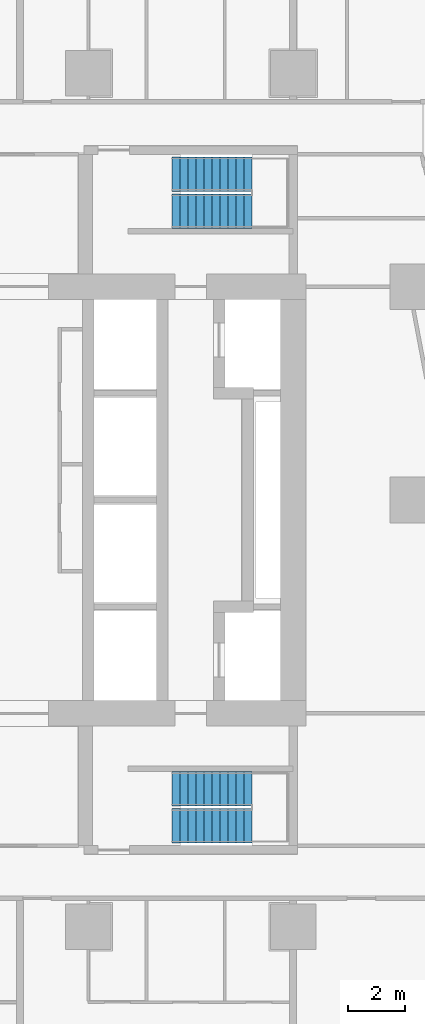
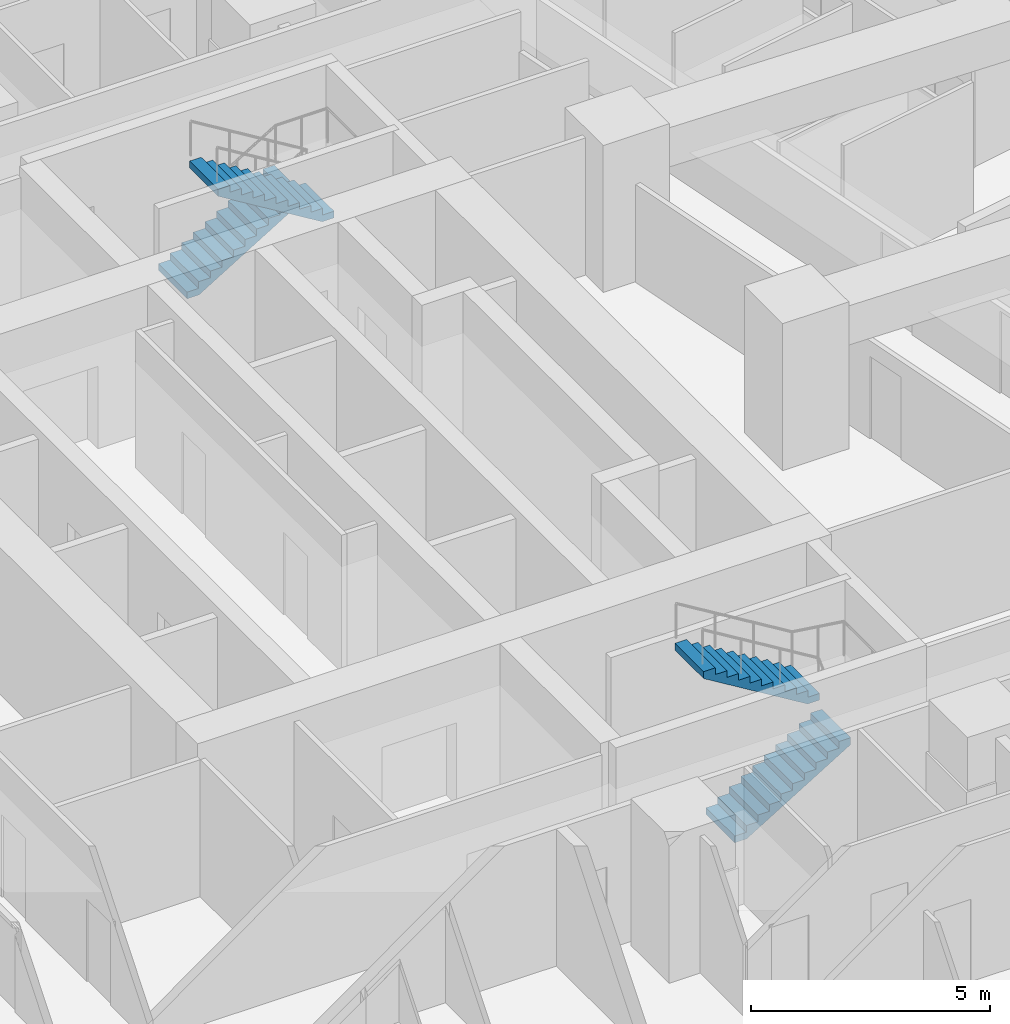
# One storey, part 14 of 17: 4 stair flights, 2 elements without a shape of their own.
"""IFC4 building model written with IfcOpenShell, lengths in metres."""

from ifc_helpers import new_model, si_unit, direction, frame, origin, place, context, subcontext, project, spatial, triangles, material, type_object, element, aggregate, save


model = new_model("IFC4")

# Units and contexts
model_context = context("Model", 3, precision=1e-05, world=origin(), true_north=direction((0.0, 1.0)))
body_context = subcontext(model_context, "Body", "Model", "MODEL_VIEW")
ifc_project = project(units=[si_unit("LENGTHUNIT", "METRE"), si_unit("AREAUNIT", "SQUARE_METRE"), si_unit("VOLUMEUNIT", "CUBIC_METRE"), si_unit("PLANEANGLEUNIT", "RADIAN"), si_unit("MASSUNIT", "GRAM", prefix="KILO")], contexts=[model_context])

# Site, building, storey
site_placement = place(None, origin())
site = spatial("IfcSite", under=ifc_project, at=site_placement, CompositionType="ELEMENT")
building_placement = place(site_placement, origin())
building = spatial("IfcBuilding", under=site, at=building_placement, Name="Sheger Commons Tower", CompositionType="ELEMENT")
storey_placement = place(building_placement, frame((0.0, 0.0, 115.39990234375)))
storey = spatial("IfcBuildingStorey", under=building, at=storey_placement, Name="L29", CompositionType="ELEMENT", Elevation=115.39990234375)

# Stair, stair flights
ifc_material_1 = material(Name="Concrete C35/45", Category="concrete")
stair_type = type_object("IfcStairType", Name="HALF-TURN STAIR 1200 RISE 3750", PredefinedType="HALF_TURN_STAIR", material=ifc_material_1)
stair_1_placement = place(storey_placement, origin())
stair_1 = element("IfcStair", 1, at=stair_1_placement, inside=storey, type_object=stair_type, Name="Stair S1 L29", PredefinedType="HALF_TURN_STAIR")
ifc_material_2 = material(Name="Concrete C35/45", Category="concrete")
stair_flight_type = type_object("IfcStairFlightType", Name="STAIR FLIGHT 1200 11 RISERS OF 170", PredefinedType="STRAIGHT", material=ifc_material_2)
stair_flight_1_placement = place(storey_placement, frame((24.550048828125, 11.050048828125, 0.0), z_axis=(0.0, 0.0, 1.0), x_axis=(1.0, 0.0, 0.0)))
stair_flight_1 = element("IfcStairFlight", 2, at=stair_flight_1_placement, type_object=stair_flight_type, Name="S1 flight 1", NumberOfRisers=11, NumberOfTreads=10, PredefinedType="STRAIGHT", RiserHeight=0.170454545, TreadLength=0.28, context=body_context, shape_type="Tessellation", body=[
    triangles([(0.0, 0.5999755859375, 0.0), (0.0, 0.5999755859375, 0.17041015625), (0.280029296875, 0.5999755859375, 0.17041015625), (0.280029296875, 0.5999755859375, 0.3408203125), (0.56005859375, 0.5999755859375, 0.3408203125), (0.56005859375, 0.5999755859375, 0.511474609375), (0.840087890625, 0.5999755859375, 0.511474609375), (0.840087890625, 0.5999755859375, 0.681884765625), (1.1201171875, 0.5999755859375, 0.681884765625), (1.1201171875, 0.5999755859375, 0.852294921875), (1.39990234375, 0.5999755859375, 0.852294921875), (1.39990234375, 0.5999755859375, 1.022705078125), (1.679931640625, 0.5999755859375, 1.022705078125), (1.679931640625, 0.5999755859375, 1.193115234375), (1.9599609375, 0.5999755859375, 1.193115234375), (1.9599609375, 0.5999755859375, 1.363525390625), (2.239990234375, 0.5999755859375, 1.363525390625), (2.239990234375, 0.5999755859375, 1.5341796875), (2.52001953125, 0.5999755859375, 1.5341796875), (2.52001953125, 0.5999755859375, 1.70458984375), (2.800048828125, 0.5999755859375, 1.70458984375), (2.800048828125, 0.5999755859375, 1.529052734375), (0.288330078125, 0.5999755859375, 0.0), (0.0, -0.5999755859375, 0.0), (0.0, -0.5999755859375, 0.17041015625), (0.280029296875, -0.5999755859375, 0.17041015625), (0.280029296875, -0.5999755859375, 0.3408203125), (0.56005859375, -0.5999755859375, 0.3408203125), (0.56005859375, -0.5999755859375, 0.511474609375), (0.840087890625, -0.5999755859375, 0.511474609375), (0.840087890625, -0.5999755859375, 0.681884765625), (1.1201171875, -0.5999755859375, 0.681884765625), (1.1201171875, -0.5999755859375, 0.852294921875), (1.39990234375, -0.5999755859375, 0.852294921875), (1.39990234375, -0.5999755859375, 1.022705078125), (1.679931640625, -0.5999755859375, 1.022705078125), (1.679931640625, -0.5999755859375, 1.193115234375), (1.9599609375, -0.5999755859375, 1.193115234375), (1.9599609375, -0.5999755859375, 1.363525390625), (2.239990234375, -0.5999755859375, 1.363525390625), (2.239990234375, -0.5999755859375, 1.5341796875), (2.52001953125, -0.5999755859375, 1.5341796875), (2.52001953125, -0.5999755859375, 1.70458984375), (2.800048828125, -0.5999755859375, 1.70458984375), (2.800048828125, -0.5999755859375, 1.529052734375), (0.288330078125, -0.5999755859375, 0.0), (0.0, 0.0, 0.085205078125), (0.1400146484375, 0.0, 0.17041015625), (0.280029296875, 0.0, 0.255615234375), (0.4200439453125, 0.0, 0.3408203125), (0.56005859375, 0.0, 0.4261474609375), (0.7000732421875, 0.0, 0.511474609375), (0.840087890625, 0.0, 0.5966796875), (0.9801025390625, 0.0, 0.681884765625), (1.1201171875, 0.0, 0.76708984375), (1.260009765625, 0.0, 0.852294921875), (1.39990234375, 0.0, 0.9375), (1.5399169921875, 0.0, 1.022705078125), (1.679931640625, 0.0, 1.10791015625), (1.8199462890625, 0.0, 1.193115234375), (1.9599609375, 0.0, 1.2783203125), (2.0999755859375, 0.0, 1.363525390625), (2.239990234375, 0.0, 1.4488525390625), (2.3800048828125, 0.0, 1.5341796875), (2.52001953125, 0.0, 1.619384765625), (2.6600341796875, 0.0, 1.70458984375), (2.800048828125, 0.0, 1.6168212890625), (1.544189453125, 0.0, 0.7645263671875), (0.1441650390625, 0.0, 0.0)], [[1, 22, 23], [24, 46, 45], [22, 20, 21], [45, 44, 43], [22, 19, 20], [45, 43, 42], [22, 18, 19], [45, 42, 41], [22, 17, 18], [45, 41, 40], [17, 15, 16], [40, 39, 38], [22, 15, 17], [45, 40, 38], [15, 13, 14], [38, 37, 36], [22, 13, 15], [45, 38, 36], [13, 11, 12], [36, 35, 34], [22, 11, 13], [45, 36, 34], [11, 9, 10], [34, 33, 32], [22, 9, 11], [45, 34, 32], [9, 7, 8], [32, 31, 30], [22, 7, 9], [45, 32, 30], [7, 5, 6], [30, 29, 28], [22, 5, 7], [45, 30, 28], [5, 3, 4], [28, 27, 26], [22, 3, 5], [45, 28, 26], [1, 3, 22], [24, 45, 26], [3, 1, 2], [26, 25, 24], [1, 47, 2], [2, 47, 25], [25, 47, 24], [24, 47, 1], [2, 48, 3], [3, 48, 26], [26, 48, 25], [25, 48, 2], [3, 49, 4], [4, 49, 27], [27, 49, 26], [26, 49, 3], [4, 50, 5], [5, 50, 28], [28, 50, 27], [27, 50, 4], [5, 51, 6], [6, 51, 29], [29, 51, 28], [28, 51, 5], [6, 52, 7], [7, 52, 30], [30, 52, 29], [29, 52, 6], [7, 53, 8], [8, 53, 31], [31, 53, 30], [30, 53, 7], [8, 54, 9], [9, 54, 32], [32, 54, 31], [31, 54, 8], [9, 55, 10], [10, 55, 33], [33, 55, 32], [32, 55, 9], [10, 56, 11], [11, 56, 34], [34, 56, 33], [33, 56, 10], [11, 57, 12], [12, 57, 35], [35, 57, 34], [34, 57, 11], [12, 58, 13], [13, 58, 36], [36, 58, 35], [35, 58, 12], [13, 59, 14], [14, 59, 37], [37, 59, 36], [36, 59, 13], [14, 60, 15], [15, 60, 38], [38, 60, 37], [37, 60, 14], [15, 61, 16], [16, 61, 39], [39, 61, 38], [38, 61, 15], [16, 62, 17], [17, 62, 40], [40, 62, 39], [39, 62, 16], [17, 63, 18], [18, 63, 41], [41, 63, 40], [40, 63, 17], [18, 64, 19], [19, 64, 42], [42, 64, 41], [41, 64, 18], [19, 65, 20], [20, 65, 43], [43, 65, 42], [42, 65, 19], [20, 66, 21], [21, 66, 44], [44, 66, 43], [43, 66, 20], [21, 67, 22], [22, 67, 45], [45, 67, 44], [44, 67, 21], [22, 68, 23], [23, 68, 46], [46, 68, 45], [45, 68, 22], [23, 69, 1], [1, 69, 24], [24, 69, 46], [46, 69, 23]], closed=True),
])
stair_flight_2_placement = place(storey_placement, frame((27.35009765625, 12.35009765625, 1.875), z_axis=(0.0, 0.0, 1.0), x_axis=(-1.0, 0.0, 0.0)))
stair_flight_2 = element("IfcStairFlight", 3, at=stair_flight_2_placement, type_object=stair_flight_type, Name="S1 flight 2", NumberOfRisers=11, NumberOfTreads=10, PredefinedType="STRAIGHT", RiserHeight=0.170454545, TreadLength=0.28, context=body_context, shape_type="Tessellation", body=[
    triangles([(0.0, 0.5999755859375, 0.0), (0.0, 0.5999755859375, 0.17041015625), (0.280029296875, 0.5999755859375, 0.17041015625), (0.280029296875, 0.5999755859375, 0.3408203125), (0.56005859375, 0.5999755859375, 0.3408203125), (0.56005859375, 0.5999755859375, 0.511474609375), (0.840087890625, 0.5999755859375, 0.511474609375), (0.840087890625, 0.5999755859375, 0.681884765625), (1.1201171875, 0.5999755859375, 0.681884765625), (1.1201171875, 0.5999755859375, 0.852294921875), (1.39990234375, 0.5999755859375, 0.852294921875), (1.39990234375, 0.5999755859375, 1.022705078125), (1.679931640625, 0.5999755859375, 1.022705078125), (1.679931640625, 0.5999755859375, 1.193115234375), (1.9599609375, 0.5999755859375, 1.193115234375), (1.9599609375, 0.5999755859375, 1.363525390625), (2.239990234375, 0.5999755859375, 1.363525390625), (2.239990234375, 0.5999755859375, 1.5341796875), (2.52001953125, 0.5999755859375, 1.5341796875), (2.52001953125, 0.5999755859375, 1.70458984375), (2.800048828125, 0.5999755859375, 1.70458984375), (2.800048828125, 0.5999755859375, 1.529052734375), (0.288330078125, 0.5999755859375, 0.0), (0.0, -0.5999755859375, 0.0), (0.0, -0.5999755859375, 0.17041015625), (0.280029296875, -0.5999755859375, 0.17041015625), (0.280029296875, -0.5999755859375, 0.3408203125), (0.56005859375, -0.5999755859375, 0.3408203125), (0.56005859375, -0.5999755859375, 0.511474609375), (0.840087890625, -0.5999755859375, 0.511474609375), (0.840087890625, -0.5999755859375, 0.681884765625), (1.1201171875, -0.5999755859375, 0.681884765625), (1.1201171875, -0.5999755859375, 0.852294921875), (1.39990234375, -0.5999755859375, 0.852294921875), (1.39990234375, -0.5999755859375, 1.022705078125), (1.679931640625, -0.5999755859375, 1.022705078125), (1.679931640625, -0.5999755859375, 1.193115234375), (1.9599609375, -0.5999755859375, 1.193115234375), (1.9599609375, -0.5999755859375, 1.363525390625), (2.239990234375, -0.5999755859375, 1.363525390625), (2.239990234375, -0.5999755859375, 1.5341796875), (2.52001953125, -0.5999755859375, 1.5341796875), (2.52001953125, -0.5999755859375, 1.70458984375), (2.800048828125, -0.5999755859375, 1.70458984375), (2.800048828125, -0.5999755859375, 1.529052734375), (0.288330078125, -0.5999755859375, 0.0), (0.0, 0.0, 0.085205078125), (0.1400146484375, 0.0, 0.17041015625), (0.280029296875, 0.0, 0.255615234375), (0.4200439453125, 0.0, 0.3408203125), (0.56005859375, 0.0, 0.4261474609375), (0.7000732421875, 0.0, 0.511474609375), (0.840087890625, 0.0, 0.5966796875), (0.9801025390625, 0.0, 0.681884765625), (1.1201171875, 0.0, 0.76708984375), (1.260009765625, 0.0, 0.852294921875), (1.39990234375, 0.0, 0.9375), (1.5399169921875, 0.0, 1.022705078125), (1.679931640625, 0.0, 1.10791015625), (1.8199462890625, 0.0, 1.193115234375), (1.9599609375, 0.0, 1.2783203125), (2.0999755859375, 0.0, 1.363525390625), (2.239990234375, 0.0, 1.4488525390625), (2.3800048828125, 0.0, 1.5341796875), (2.52001953125, 0.0, 1.619384765625), (2.6600341796875, 0.0, 1.70458984375), (2.800048828125, 0.0, 1.6168212890625), (1.544189453125, 0.0, 0.7645263671875), (0.1441650390625, 0.0, 0.0)], [[1, 22, 23], [24, 46, 45], [22, 20, 21], [45, 44, 43], [22, 19, 20], [45, 43, 42], [22, 18, 19], [45, 42, 41], [22, 17, 18], [45, 41, 40], [17, 15, 16], [40, 39, 38], [22, 15, 17], [45, 40, 38], [15, 13, 14], [38, 37, 36], [22, 13, 15], [45, 38, 36], [13, 11, 12], [36, 35, 34], [22, 11, 13], [45, 36, 34], [11, 9, 10], [34, 33, 32], [22, 9, 11], [45, 34, 32], [9, 7, 8], [32, 31, 30], [22, 7, 9], [45, 32, 30], [7, 5, 6], [30, 29, 28], [22, 5, 7], [45, 30, 28], [5, 3, 4], [28, 27, 26], [22, 3, 5], [45, 28, 26], [1, 3, 22], [24, 45, 26], [3, 1, 2], [26, 25, 24], [1, 47, 2], [2, 47, 25], [25, 47, 24], [24, 47, 1], [2, 48, 3], [3, 48, 26], [26, 48, 25], [25, 48, 2], [3, 49, 4], [4, 49, 27], [27, 49, 26], [26, 49, 3], [4, 50, 5], [5, 50, 28], [28, 50, 27], [27, 50, 4], [5, 51, 6], [6, 51, 29], [29, 51, 28], [28, 51, 5], [6, 52, 7], [7, 52, 30], [30, 52, 29], [29, 52, 6], [7, 53, 8], [8, 53, 31], [31, 53, 30], [30, 53, 7], [8, 54, 9], [9, 54, 32], [32, 54, 31], [31, 54, 8], [9, 55, 10], [10, 55, 33], [33, 55, 32], [32, 55, 9], [10, 56, 11], [11, 56, 34], [34, 56, 33], [33, 56, 10], [11, 57, 12], [12, 57, 35], [35, 57, 34], [34, 57, 11], [12, 58, 13], [13, 58, 36], [36, 58, 35], [35, 58, 12], [13, 59, 14], [14, 59, 37], [37, 59, 36], [36, 59, 13], [14, 60, 15], [15, 60, 38], [38, 60, 37], [37, 60, 14], [15, 61, 16], [16, 61, 39], [39, 61, 38], [38, 61, 15], [16, 62, 17], [17, 62, 40], [40, 62, 39], [39, 62, 16], [17, 63, 18], [18, 63, 41], [41, 63, 40], [40, 63, 17], [18, 64, 19], [19, 64, 42], [42, 64, 41], [41, 64, 18], [19, 65, 20], [20, 65, 43], [43, 65, 42], [42, 65, 19], [20, 66, 21], [21, 66, 44], [44, 66, 43], [43, 66, 20], [21, 67, 22], [22, 67, 45], [45, 67, 44], [44, 67, 21], [22, 68, 23], [23, 68, 46], [46, 68, 45], [45, 68, 22], [23, 69, 1], [1, 69, 24], [24, 69, 46], [46, 69, 23]], closed=True),
])
aggregate(stair_1, [stair_flight_1, stair_flight_2])

stair_2_placement = place(storey_placement, origin())
stair_2 = element("IfcStair", 4, at=stair_2_placement, inside=storey, type_object=stair_type, Name="Stair S2 L29", PredefinedType="HALF_TURN_STAIR")
stair_flight_3_placement = place(storey_placement, frame((24.550048828125, 33.949951171875, 0.0), z_axis=(0.0, 0.0, 1.0), x_axis=(1.0, 0.0, 0.0)))
stair_flight_3 = element("IfcStairFlight", 5, at=stair_flight_3_placement, type_object=stair_flight_type, Name="S2 flight 1", NumberOfRisers=11, NumberOfTreads=10, PredefinedType="STRAIGHT", RiserHeight=0.170454545, TreadLength=0.28, context=body_context, shape_type="Tessellation", body=[
    triangles([(0.0, 0.5999755859375, 0.0), (0.0, 0.5999755859375, 0.17041015625), (0.280029296875, 0.5999755859375, 0.17041015625), (0.280029296875, 0.5999755859375, 0.3408203125), (0.56005859375, 0.5999755859375, 0.3408203125), (0.56005859375, 0.5999755859375, 0.511474609375), (0.840087890625, 0.5999755859375, 0.511474609375), (0.840087890625, 0.5999755859375, 0.681884765625), (1.1201171875, 0.5999755859375, 0.681884765625), (1.1201171875, 0.5999755859375, 0.852294921875), (1.39990234375, 0.5999755859375, 0.852294921875), (1.39990234375, 0.5999755859375, 1.022705078125), (1.679931640625, 0.5999755859375, 1.022705078125), (1.679931640625, 0.5999755859375, 1.193115234375), (1.9599609375, 0.5999755859375, 1.193115234375), (1.9599609375, 0.5999755859375, 1.363525390625), (2.239990234375, 0.5999755859375, 1.363525390625), (2.239990234375, 0.5999755859375, 1.5341796875), (2.52001953125, 0.5999755859375, 1.5341796875), (2.52001953125, 0.5999755859375, 1.70458984375), (2.800048828125, 0.5999755859375, 1.70458984375), (2.800048828125, 0.5999755859375, 1.529052734375), (0.288330078125, 0.5999755859375, 0.0), (0.0, -0.5999755859375, 0.0), (0.0, -0.5999755859375, 0.17041015625), (0.280029296875, -0.5999755859375, 0.17041015625), (0.280029296875, -0.5999755859375, 0.3408203125), (0.56005859375, -0.5999755859375, 0.3408203125), (0.56005859375, -0.5999755859375, 0.511474609375), (0.840087890625, -0.5999755859375, 0.511474609375), (0.840087890625, -0.5999755859375, 0.681884765625), (1.1201171875, -0.5999755859375, 0.681884765625), (1.1201171875, -0.5999755859375, 0.852294921875), (1.39990234375, -0.5999755859375, 0.852294921875), (1.39990234375, -0.5999755859375, 1.022705078125), (1.679931640625, -0.5999755859375, 1.022705078125), (1.679931640625, -0.5999755859375, 1.193115234375), (1.9599609375, -0.5999755859375, 1.193115234375), (1.9599609375, -0.5999755859375, 1.363525390625), (2.239990234375, -0.5999755859375, 1.363525390625), (2.239990234375, -0.5999755859375, 1.5341796875), (2.52001953125, -0.5999755859375, 1.5341796875), (2.52001953125, -0.5999755859375, 1.70458984375), (2.800048828125, -0.5999755859375, 1.70458984375), (2.800048828125, -0.5999755859375, 1.529052734375), (0.288330078125, -0.5999755859375, 0.0), (0.0, 0.0, 0.085205078125), (0.1400146484375, 0.0, 0.17041015625), (0.280029296875, 0.0, 0.255615234375), (0.4200439453125, 0.0, 0.3408203125), (0.56005859375, 0.0, 0.4261474609375), (0.7000732421875, 0.0, 0.511474609375), (0.840087890625, 0.0, 0.5966796875), (0.9801025390625, 0.0, 0.681884765625), (1.1201171875, 0.0, 0.76708984375), (1.260009765625, 0.0, 0.852294921875), (1.39990234375, 0.0, 0.9375), (1.5399169921875, 0.0, 1.022705078125), (1.679931640625, 0.0, 1.10791015625), (1.8199462890625, 0.0, 1.193115234375), (1.9599609375, 0.0, 1.2783203125), (2.0999755859375, 0.0, 1.363525390625), (2.239990234375, 0.0, 1.4488525390625), (2.3800048828125, 0.0, 1.5341796875), (2.52001953125, 0.0, 1.619384765625), (2.6600341796875, 0.0, 1.70458984375), (2.800048828125, 0.0, 1.6168212890625), (1.544189453125, 0.0, 0.7645263671875), (0.1441650390625, 0.0, 0.0)], [[1, 22, 23], [24, 46, 45], [22, 20, 21], [45, 44, 43], [22, 19, 20], [45, 43, 42], [22, 18, 19], [45, 42, 41], [22, 17, 18], [45, 41, 40], [17, 15, 16], [40, 39, 38], [22, 15, 17], [45, 40, 38], [15, 13, 14], [38, 37, 36], [22, 13, 15], [45, 38, 36], [13, 11, 12], [36, 35, 34], [22, 11, 13], [45, 36, 34], [11, 9, 10], [34, 33, 32], [22, 9, 11], [45, 34, 32], [9, 7, 8], [32, 31, 30], [22, 7, 9], [45, 32, 30], [7, 5, 6], [30, 29, 28], [22, 5, 7], [45, 30, 28], [5, 3, 4], [28, 27, 26], [22, 3, 5], [45, 28, 26], [1, 3, 22], [24, 45, 26], [3, 1, 2], [26, 25, 24], [1, 47, 2], [2, 47, 25], [25, 47, 24], [24, 47, 1], [2, 48, 3], [3, 48, 26], [26, 48, 25], [25, 48, 2], [3, 49, 4], [4, 49, 27], [27, 49, 26], [26, 49, 3], [4, 50, 5], [5, 50, 28], [28, 50, 27], [27, 50, 4], [5, 51, 6], [6, 51, 29], [29, 51, 28], [28, 51, 5], [6, 52, 7], [7, 52, 30], [30, 52, 29], [29, 52, 6], [7, 53, 8], [8, 53, 31], [31, 53, 30], [30, 53, 7], [8, 54, 9], [9, 54, 32], [32, 54, 31], [31, 54, 8], [9, 55, 10], [10, 55, 33], [33, 55, 32], [32, 55, 9], [10, 56, 11], [11, 56, 34], [34, 56, 33], [33, 56, 10], [11, 57, 12], [12, 57, 35], [35, 57, 34], [34, 57, 11], [12, 58, 13], [13, 58, 36], [36, 58, 35], [35, 58, 12], [13, 59, 14], [14, 59, 37], [37, 59, 36], [36, 59, 13], [14, 60, 15], [15, 60, 38], [38, 60, 37], [37, 60, 14], [15, 61, 16], [16, 61, 39], [39, 61, 38], [38, 61, 15], [16, 62, 17], [17, 62, 40], [40, 62, 39], [39, 62, 16], [17, 63, 18], [18, 63, 41], [41, 63, 40], [40, 63, 17], [18, 64, 19], [19, 64, 42], [42, 64, 41], [41, 64, 18], [19, 65, 20], [20, 65, 43], [43, 65, 42], [42, 65, 19], [20, 66, 21], [21, 66, 44], [44, 66, 43], [43, 66, 20], [21, 67, 22], [22, 67, 45], [45, 67, 44], [44, 67, 21], [22, 68, 23], [23, 68, 46], [46, 68, 45], [45, 68, 22], [23, 69, 1], [1, 69, 24], [24, 69, 46], [46, 69, 23]], closed=True),
])
stair_flight_4_placement = place(storey_placement, frame((27.35009765625, 32.64990234375, 1.875), z_axis=(0.0, 0.0, 1.0), x_axis=(-1.0, 0.0, 0.0)))
stair_flight_4 = element("IfcStairFlight", 6, at=stair_flight_4_placement, type_object=stair_flight_type, Name="S2 flight 2", NumberOfRisers=11, NumberOfTreads=10, PredefinedType="STRAIGHT", RiserHeight=0.170454545, TreadLength=0.28, context=body_context, shape_type="Tessellation", body=[
    triangles([(0.0, 0.5999755859375, 0.0), (0.0, 0.5999755859375, 0.17041015625), (0.280029296875, 0.5999755859375, 0.17041015625), (0.280029296875, 0.5999755859375, 0.3408203125), (0.56005859375, 0.5999755859375, 0.3408203125), (0.56005859375, 0.5999755859375, 0.511474609375), (0.840087890625, 0.5999755859375, 0.511474609375), (0.840087890625, 0.5999755859375, 0.681884765625), (1.1201171875, 0.5999755859375, 0.681884765625), (1.1201171875, 0.5999755859375, 0.852294921875), (1.39990234375, 0.5999755859375, 0.852294921875), (1.39990234375, 0.5999755859375, 1.022705078125), (1.679931640625, 0.5999755859375, 1.022705078125), (1.679931640625, 0.5999755859375, 1.193115234375), (1.9599609375, 0.5999755859375, 1.193115234375), (1.9599609375, 0.5999755859375, 1.363525390625), (2.239990234375, 0.5999755859375, 1.363525390625), (2.239990234375, 0.5999755859375, 1.5341796875), (2.52001953125, 0.5999755859375, 1.5341796875), (2.52001953125, 0.5999755859375, 1.70458984375), (2.800048828125, 0.5999755859375, 1.70458984375), (2.800048828125, 0.5999755859375, 1.529052734375), (0.288330078125, 0.5999755859375, 0.0), (0.0, -0.5999755859375, 0.0), (0.0, -0.5999755859375, 0.17041015625), (0.280029296875, -0.5999755859375, 0.17041015625), (0.280029296875, -0.5999755859375, 0.3408203125), (0.56005859375, -0.5999755859375, 0.3408203125), (0.56005859375, -0.5999755859375, 0.511474609375), (0.840087890625, -0.5999755859375, 0.511474609375), (0.840087890625, -0.5999755859375, 0.681884765625), (1.1201171875, -0.5999755859375, 0.681884765625), (1.1201171875, -0.5999755859375, 0.852294921875), (1.39990234375, -0.5999755859375, 0.852294921875), (1.39990234375, -0.5999755859375, 1.022705078125), (1.679931640625, -0.5999755859375, 1.022705078125), (1.679931640625, -0.5999755859375, 1.193115234375), (1.9599609375, -0.5999755859375, 1.193115234375), (1.9599609375, -0.5999755859375, 1.363525390625), (2.239990234375, -0.5999755859375, 1.363525390625), (2.239990234375, -0.5999755859375, 1.5341796875), (2.52001953125, -0.5999755859375, 1.5341796875), (2.52001953125, -0.5999755859375, 1.70458984375), (2.800048828125, -0.5999755859375, 1.70458984375), (2.800048828125, -0.5999755859375, 1.529052734375), (0.288330078125, -0.5999755859375, 0.0), (0.0, 0.0, 0.085205078125), (0.1400146484375, 0.0, 0.17041015625), (0.280029296875, 0.0, 0.255615234375), (0.4200439453125, 0.0, 0.3408203125), (0.56005859375, 0.0, 0.4261474609375), (0.7000732421875, 0.0, 0.511474609375), (0.840087890625, 0.0, 0.5966796875), (0.9801025390625, 0.0, 0.681884765625), (1.1201171875, 0.0, 0.76708984375), (1.260009765625, 0.0, 0.852294921875), (1.39990234375, 0.0, 0.9375), (1.5399169921875, 0.0, 1.022705078125), (1.679931640625, 0.0, 1.10791015625), (1.8199462890625, 0.0, 1.193115234375), (1.9599609375, 0.0, 1.2783203125), (2.0999755859375, 0.0, 1.363525390625), (2.239990234375, 0.0, 1.4488525390625), (2.3800048828125, 0.0, 1.5341796875), (2.52001953125, 0.0, 1.619384765625), (2.6600341796875, 0.0, 1.70458984375), (2.800048828125, 0.0, 1.6168212890625), (1.544189453125, 0.0, 0.7645263671875), (0.1441650390625, 0.0, 0.0)], [[1, 22, 23], [24, 46, 45], [22, 20, 21], [45, 44, 43], [22, 19, 20], [45, 43, 42], [22, 18, 19], [45, 42, 41], [22, 17, 18], [45, 41, 40], [17, 15, 16], [40, 39, 38], [22, 15, 17], [45, 40, 38], [15, 13, 14], [38, 37, 36], [22, 13, 15], [45, 38, 36], [13, 11, 12], [36, 35, 34], [22, 11, 13], [45, 36, 34], [11, 9, 10], [34, 33, 32], [22, 9, 11], [45, 34, 32], [9, 7, 8], [32, 31, 30], [22, 7, 9], [45, 32, 30], [7, 5, 6], [30, 29, 28], [22, 5, 7], [45, 30, 28], [5, 3, 4], [28, 27, 26], [22, 3, 5], [45, 28, 26], [1, 3, 22], [24, 45, 26], [3, 1, 2], [26, 25, 24], [1, 47, 2], [2, 47, 25], [25, 47, 24], [24, 47, 1], [2, 48, 3], [3, 48, 26], [26, 48, 25], [25, 48, 2], [3, 49, 4], [4, 49, 27], [27, 49, 26], [26, 49, 3], [4, 50, 5], [5, 50, 28], [28, 50, 27], [27, 50, 4], [5, 51, 6], [6, 51, 29], [29, 51, 28], [28, 51, 5], [6, 52, 7], [7, 52, 30], [30, 52, 29], [29, 52, 6], [7, 53, 8], [8, 53, 31], [31, 53, 30], [30, 53, 7], [8, 54, 9], [9, 54, 32], [32, 54, 31], [31, 54, 8], [9, 55, 10], [10, 55, 33], [33, 55, 32], [32, 55, 9], [10, 56, 11], [11, 56, 34], [34, 56, 33], [33, 56, 10], [11, 57, 12], [12, 57, 35], [35, 57, 34], [34, 57, 11], [12, 58, 13], [13, 58, 36], [36, 58, 35], [35, 58, 12], [13, 59, 14], [14, 59, 37], [37, 59, 36], [36, 59, 13], [14, 60, 15], [15, 60, 38], [38, 60, 37], [37, 60, 14], [15, 61, 16], [16, 61, 39], [39, 61, 38], [38, 61, 15], [16, 62, 17], [17, 62, 40], [40, 62, 39], [39, 62, 16], [17, 63, 18], [18, 63, 41], [41, 63, 40], [40, 63, 17], [18, 64, 19], [19, 64, 42], [42, 64, 41], [41, 64, 18], [19, 65, 20], [20, 65, 43], [43, 65, 42], [42, 65, 19], [20, 66, 21], [21, 66, 44], [44, 66, 43], [43, 66, 20], [21, 67, 22], [22, 67, 45], [45, 67, 44], [44, 67, 21], [22, 68, 23], [23, 68, 46], [46, 68, 45], [45, 68, 22], [23, 69, 1], [1, 69, 24], [24, 69, 46], [46, 69, 23]], closed=True),
])
aggregate(stair_2, [stair_flight_3, stair_flight_4])

save(model, "model.ifc")
